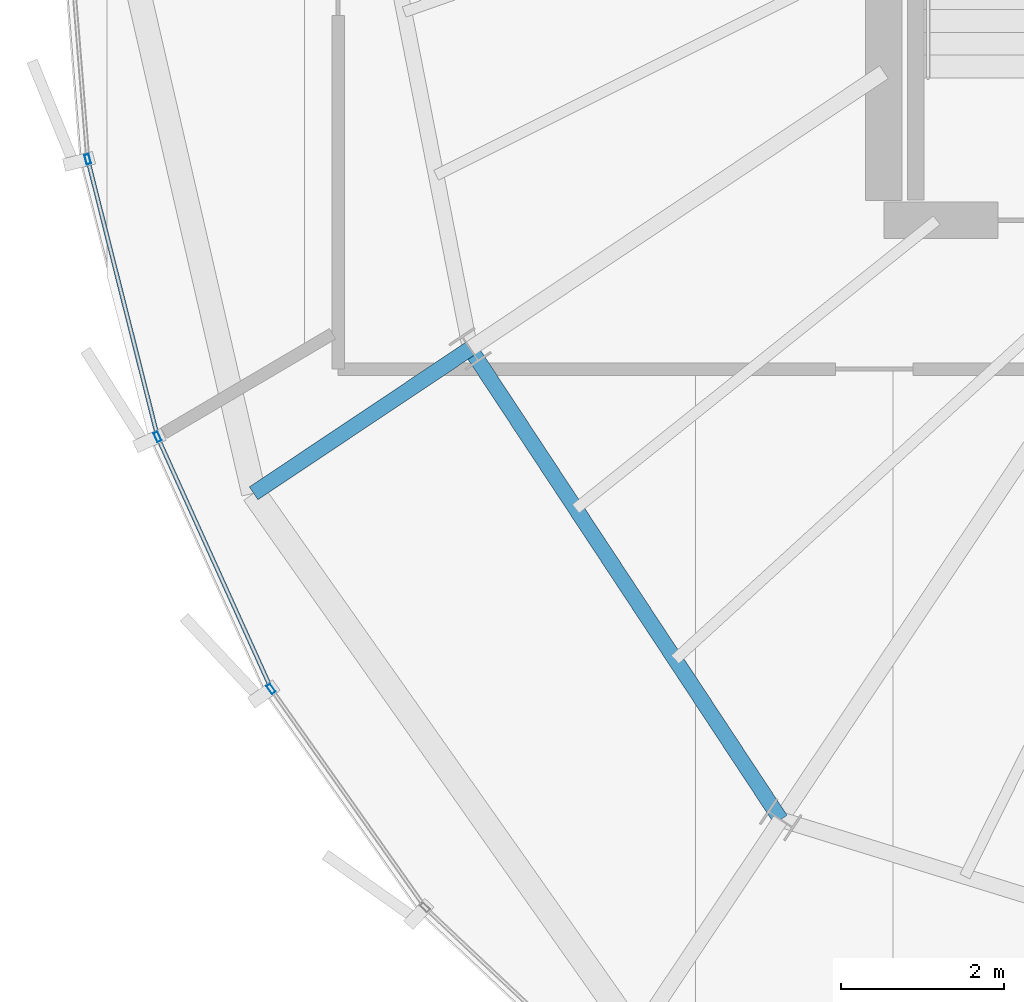
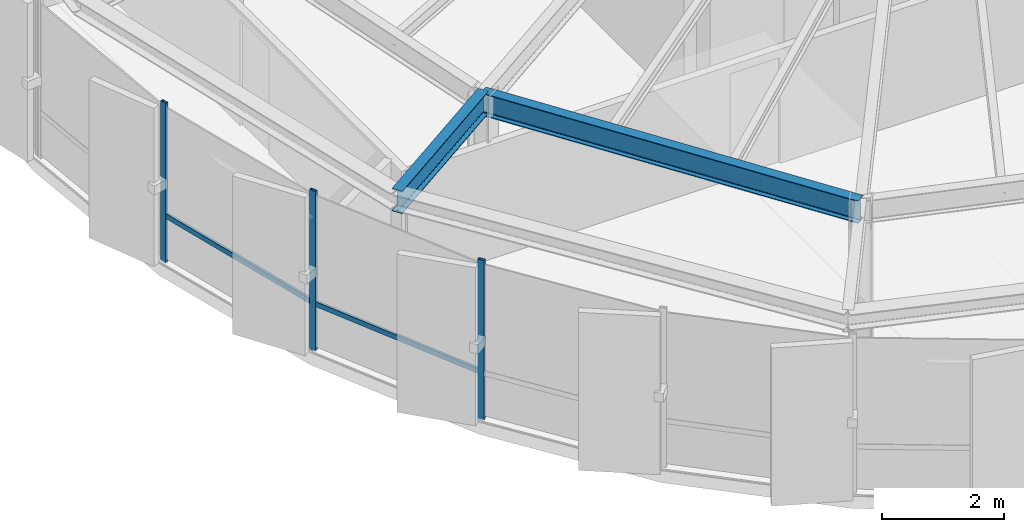
# One storey, part 4 of 30: 5 members, 2 beams, 1 element without a shape of its own.
"""IFC4 building model written with IfcOpenShell, lengths in metres."""

import ifcopenshell
import ifcopenshell.guid

model = None  # the IFC model being written
_history = None  # IfcOwnerHistory: only IFC2X3 demands one
_inside = {}  # id of a spatial element -> (the spatial element, [elements in it])
_under = {}  # id of a project, library or spatial element -> (it, [spatial elements below it])
_declared = {}  # id of a project -> (the project, [libraries it declares])
_typed = {}  # id of a type object -> (the type object, [elements of that type])
_made_of = {}  # id of a material, layer set ... -> (it, [elements and type objects made of it])


def new_model(schema):
    """Start an empty IFC model of exactly this schema.

    Asked for "IFC4X3", IfcOpenShell would pick the latest addendum, in which some entities
    have other attributes; the version numbers below select the first issue.
    IFC2X3 requires an IfcOwnerHistory on every rooted entity: one is made here for all.
    """
    global model, _history
    if schema == "IFC4X3":
        model = ifcopenshell.file(schema_version=(4, 3, 0, 0))
    else:
        model = ifcopenshell.file(schema=schema)
    _inside.clear()
    _under.clear()
    _declared.clear()
    _typed.clear()
    _made_of.clear()
    _history = None
    if model.schema == "IFC2X3":
        org = make("IfcOrganization", Name="unknown")
        user = make(
            "IfcPersonAndOrganization",
            ThePerson=make("IfcPerson", FamilyName="unknown"),
            TheOrganization=org,
        )
        app = make(
            "IfcApplication",
            ApplicationDeveloper=org,
            Version="unknown",
            ApplicationFullName="unknown",
            ApplicationIdentifier="unknown",
        )
        _history = make(
            "IfcOwnerHistory",
            OwningUser=user,
            OwningApplication=app,
            ChangeAction="ADDED",
            CreationDate=0,
        )
    return model


def make(cls, **values):
    """One entity of the class cls with the attributes given. An attribute that is None is left unset."""
    return model.create_entity(
        cls, **{name: value for name, value in values.items() if value is not None}
    )


def rooted(cls, **values):
    """An entity with a GlobalId (a new one), such as an element, a storey or a relation."""
    return make(cls, GlobalId=ifcopenshell.guid.new(), OwnerHistory=_history, **values)


def si_unit(unit_type, name, prefix=None):
    """IfcSIUnit, for example si_unit("LENGTHUNIT", "METRE", prefix="MILLI")."""
    return make("IfcSIUnit", UnitType=unit_type, Prefix=prefix, Name=name)


def assignment(units):
    """IfcUnitAssignment: the units of a project."""
    return None if units is None else make("IfcUnitAssignment", Units=units)


def point(xyz):
    """IfcCartesianPoint."""
    return None if xyz is None else make("IfcCartesianPoint", Coordinates=xyz)


def direction(xyz):
    """IfcDirection."""
    return None if xyz is None else make("IfcDirection", DirectionRatios=xyz)


def frame(location, z_axis=None, x_axis=None):
    """IfcAxis2Placement3D, a coordinate frame: its origin and axes. An axis left out is left unset."""
    return make(
        "IfcAxis2Placement3D",
        Location=point(location),
        Axis=direction(z_axis),
        RefDirection=direction(x_axis),
    )


def frame_2d(location, x_axis=None):
    """IfcAxis2Placement2D, a coordinate frame in the plane: its origin and x axis."""
    return make(
        "IfcAxis2Placement2D", Location=point(location), RefDirection=direction(x_axis)
    )


def origin():
    """The frame at (0, 0, 0) with its axes left unset."""
    return frame((0.0, 0.0, 0.0))


def origin_2d():
    """The frame at (0, 0) in the plane with its x axis left unset."""
    return frame_2d((0.0, 0.0))


def place(relative_to, where):
    """IfcLocalPlacement: puts the frame where relative to a parent placement (None: the world)."""
    return make(
        "IfcLocalPlacement", PlacementRelTo=relative_to, RelativePlacement=where
    )


def context(
    kind, dimensions, precision=None, world=None, true_north=None, identifier=None
):
    """IfcGeometricRepresentationContext, for example the 3D "Model" context."""
    return make(
        "IfcGeometricRepresentationContext",
        ContextIdentifier=identifier,
        ContextType=kind,
        CoordinateSpaceDimension=dimensions,
        Precision=precision,
        WorldCoordinateSystem=world,
        TrueNorth=true_north,
    )


def subcontext(parent, identifier, kind, view, scale=None):
    """IfcGeometricRepresentationSubContext, for example "Body" below "Model"."""
    return make(
        "IfcGeometricRepresentationSubContext",
        ContextIdentifier=identifier,
        ContextType=kind,
        ParentContext=parent,
        TargetScale=scale,
        TargetView=view,
    )


def project(units=None, contexts=None):
    """IfcProject with its units and contexts."""
    return rooted(
        "IfcProject",
        Name="project",
        RepresentationContexts=contexts,
        UnitsInContext=assignment(units),
    )


def spatial(cls, under=None, at=None, **own):
    """A site, building, storey or space (cls), placed at a placement, below another one or the project."""
    s = rooted(cls, ObjectPlacement=at, **own)
    if under is not None:
        _under.setdefault(under.id(), (under, []))[1].append(s)
    return s


def profile(cls, at=None, kind="AREA", **sizes):
    """A parametric profile (cls). Its sizes go by their IFC names, for example OverallWidth=200.0."""
    return make(cls, ProfileType=kind, Position=at, **sizes)


def hollow_rectangle(**sizes):
    """IfcRectangleHollowProfileDef."""
    return profile("IfcRectangleHollowProfileDef", **sizes)


def i_section(**sizes):
    """IfcIShapeProfileDef."""
    return profile("IfcIShapeProfileDef", **sizes)


def extrude(swept, where, along, depth):
    """IfcExtrudedAreaSolid: the profile swept, set in the frame where, extruded along a direction by depth."""
    return make(
        "IfcExtrudedAreaSolid",
        SweptArea=swept,
        Position=where,
        ExtrudedDirection=direction(along),
        Depth=depth,
    )


def shape(context_of_items, identifier, shape_type, items):
    """IfcShapeRepresentation: the items that make up one representation, for example the "Body"."""
    return make(
        "IfcShapeRepresentation",
        ContextOfItems=context_of_items,
        RepresentationIdentifier=identifier,
        RepresentationType=shape_type,
        Items=items,
    )


def source(mapping_origin, context_of_items, identifier, shape_type, items):
    """IfcRepresentationMap: a shape defined once, which mapped items show again and again."""
    return make(
        "IfcRepresentationMap",
        MappingOrigin=mapping_origin,
        MappedRepresentation=shape(context_of_items, identifier, shape_type, items),
    )


def transform(
    local_origin,
    x_axis=None,
    y_axis=None,
    z_axis=None,
    scale=None,
    scale2=None,
    scale3=None,
    uniform=True,
):
    """IfcCartesianTransformationOperator3D, or its non-uniform kind. x_axis, y_axis, z_axis: its Axis1, 2, 3."""
    if uniform:
        return make(
            "IfcCartesianTransformationOperator3D",
            Axis1=direction(x_axis),
            Axis2=direction(y_axis),
            LocalOrigin=point(local_origin),
            Scale=scale,
            Axis3=direction(z_axis),
        )
    return make(
        "IfcCartesianTransformationOperator3DnonUniform",
        Axis1=direction(x_axis),
        Axis2=direction(y_axis),
        LocalOrigin=point(local_origin),
        Scale=scale,
        Axis3=direction(z_axis),
        Scale2=scale2,
        Scale3=scale3,
    )


def mapped(mapping_source, mapping_target):
    """IfcMappedItem: shows the shape of a source again, moved by a transform."""
    return make(
        "IfcMappedItem", MappingSource=mapping_source, MappingTarget=mapping_target
    )


def material(Name=None, Category=None):
    """IfcMaterial."""
    return make("IfcMaterial", Name=Name, Category=Category)


def layer(
    of_material, thickness, ventilated=None, Name=None, Category=None, Priority=None
):
    """IfcMaterialLayer: one layer of a wall or slab, of a material (None: an air gap)."""
    return make(
        "IfcMaterialLayer",
        Material=of_material,
        LayerThickness=thickness,
        IsVentilated=ventilated,
        Name=Name,
        Category=Category,
        Priority=Priority,
    )


def layer_set(layers, Name=None):
    """IfcMaterialLayerSet."""
    return make("IfcMaterialLayerSet", MaterialLayers=layers, LayerSetName=Name)


def material_profile(
    of_material, cross_section, Name=None, Category=None, Priority=None
):
    """IfcMaterialProfile: a cross section and its material."""
    return make(
        "IfcMaterialProfile",
        Name=Name,
        Material=of_material,
        Profile=cross_section,
        Priority=Priority,
        Category=Category,
    )


def profile_set(profiles, Name=None, composite=None):
    """IfcMaterialProfileSet."""
    return make(
        "IfcMaterialProfileSet",
        Name=Name,
        MaterialProfiles=profiles,
        CompositeProfile=composite,
    )


def made_of(thing, what):
    """Note that an element or type object is made of a material, layer set ...; save() writes the relation."""
    if what is not None:
        _made_of.setdefault(what.id(), (what, []))[1].append(thing)
    return thing


def type_object(cls, material=None, **own):
    """A type object (cls), such as IfcWallType, which elements share."""
    return made_of(rooted(cls, **own), material)


def element(
    cls,
    number,
    at=None,
    inside=None,
    cuts=None,
    type_object=None,
    material=None,
    context=None,
    identifier="Body",
    shape_type=None,
    held_by="IfcProductDefinitionShape",
    body=None,
    shapes=None,
    **own,
):
    """One element of the class cls, such as IfcWall. Its Tag is "e" and its number.

    at: its placement. inside: the storey or other place that contains it. cuts: it is an
    opening in that element (IfcRelVoidsElement). A single representation is given by context,
    identifier, shape_type and body (its items); several are given by shapes. held_by: the class
    of the entity that holds the representations. save() writes the other relations.
    """
    e = rooted(cls, Tag="e%d" % number, ObjectPlacement=at, **own)
    if body is not None:
        shapes = [shape(context, identifier, shape_type, body)]
    if shapes is not None:
        e.Representation = make(held_by, Representations=shapes)
    if inside is not None:
        _inside.setdefault(inside.id(), (inside, []))[1].append(e)
    if cuts is not None:
        rooted(
            "IfcRelVoidsElement", RelatingBuildingElement=cuts, RelatedOpeningElement=e
        )
    if type_object is not None:
        _typed.setdefault(type_object.id(), (type_object, []))[1].append(e)
    return made_of(e, material)


def aggregate(whole, parts):
    """IfcRelAggregates: a whole, such as a stair, and the parts it consists of."""
    return rooted("IfcRelAggregates", RelatingObject=whole, RelatedObjects=parts)


def save(model, path):
    """Write the relations noted so far, then the file.

    IfcRelAggregates (storeys below a building ...), IfcRelContainedInSpatialStructure (elements
    in a storey), IfcRelDefinesByType, IfcRelAssociatesMaterial and IfcRelDeclares: one each for
    every whole, place, type object, material and project.
    """
    for whole, parts in _under.values():
        aggregate(whole, parts)
    for where, things in _inside.values():
        rooted(
            "IfcRelContainedInSpatialStructure",
            RelatedElements=things,
            RelatingStructure=where,
        )
    for kind, things in _typed.values():
        rooted("IfcRelDefinesByType", RelatedObjects=things, RelatingType=kind)
    for what, things in _made_of.values():
        rooted("IfcRelAssociatesMaterial", RelatedObjects=things, RelatingMaterial=what)
    for by, libraries in _declared.values():
        rooted("IfcRelDeclares", RelatingContext=by, RelatedDefinitions=libraries)
    model.write(path)


model = new_model("IFC4")

# Units and contexts
model_context = context("Model", 3, precision=1e-05, world=origin(), true_north=direction((0.0, 1.0)))
body_context = subcontext(model_context, "Body", "Model", "MODEL_VIEW")
ifc_project = project(units=[si_unit("LENGTHUNIT", "METRE"), si_unit("AREAUNIT", "SQUARE_METRE"), si_unit("VOLUMEUNIT", "CUBIC_METRE"), si_unit("PLANEANGLEUNIT", "RADIAN"), si_unit("MASSUNIT", "GRAM", prefix="KILO"), si_unit("THERMODYNAMICTEMPERATUREUNIT", "KELVIN")], contexts=[model_context])

# Site, building, storey
site_placement = place(None, origin())
site = spatial("IfcSite", under=ifc_project, at=site_placement, CompositionType="ELEMENT")
building_placement = place(site_placement, origin())
building = spatial("IfcBuilding", under=site, at=building_placement, Name="Kethvar Cultural Tower", CompositionType="ELEMENT")
storey_placement = place(building_placement, frame((0.0, 0.0, 293.949951171875)))
storey = spatial("IfcBuildingStorey", under=building, at=storey_placement, Name="L78", CompositionType="ELEMENT", Elevation=293.949951171875)

# Beams
ifc_material_1 = material(Name="Steel S355J2", Category="steel")
ifc_material_profile_1 = material_profile(ifc_material_1, i_section(OverallWidth=0.18994140625, OverallDepth=0.449951171875, WebThickness=0.009521484375, FlangeThickness=0.0146484375, FilletRadius=0.02099609375, at=origin_2d()), Name="Steel S355J2 — IPE450")
ifc_profile_set_1 = profile_set([ifc_material_profile_1], Name="Steel S355J2 — IPE450")
beam_type = type_object("IfcBeamType", Name="BM-IPE450", PredefinedType="BEAM", material=ifc_profile_set_1)
shared_shape_1 = source(origin(), body_context, "Body", "SweptSolid", [
    extrude(i_section(OverallWidth=0.18994140625, OverallDepth=0.449951171875, WebThickness=0.009521484375, FlangeThickness=0.0146484375, FilletRadius=0.02099609375, at=origin_2d()), origin(), (0.0, 0.0, 1.0), 3.199951171875),
])
beam_1_placement = place(storey_placement, frame((32.912841796875, 18.52099609375, 2.983154296875), z_axis=(-0.831462943996, -0.555580212716, 0.0), x_axis=(0.555580212716, -0.831462943996, 0.0)))
element("IfcBeam", 1, at=beam_1_placement, inside=storey, type_object=beam_type, Name="L78 Perimeter Cantilever Beam RC-10", PredefinedType="BEAM", context=body_context, shape_type="MappedRepresentation", body=[
    mapped(shared_shape_1, transform((0.0, 0.0, 0.0), scale=1.0)),
])
shared_shape_2 = source(origin(), body_context, "Body", "SweptSolid", [
    extrude(i_section(OverallWidth=0.18994140625, OverallDepth=0.449951171875, WebThickness=0.009521484375, FlangeThickness=0.0146484375, FilletRadius=0.02099609375, at=origin_2d()), origin(), (0.0, 0.0, 1.0), 6.935791015625),
])
beam_2_placement = place(storey_placement, frame((32.912841796875, 18.52099609375, 2.983154296875), z_axis=(0.550534204139, -0.834812607759, 0.0), x_axis=(0.834812607759, 0.550534204139, 0.0)))
element("IfcBeam", 2, at=beam_2_placement, inside=storey, type_object=beam_type, Name="L78 Column Ring Tie Beam CR-10", PredefinedType="BEAM", context=body_context, shape_type="MappedRepresentation", body=[
    mapped(shared_shape_2, transform((0.0, 0.0, 0.0), scale=1.0)),
])

# Curtain wall, members
ifc_material_2 = material(Name="Aluminium 6063-T6", Category="aluminium")
ifc_layer = layer(ifc_material_2, 0.179931640625, Name="Aluminium 6063-T6", Category="aluminium")
ifc_layer_set = layer_set([ifc_layer], Name="Aluminium 6063-T6 (180 mm)")
curtain_wall_type = type_object("IfcCurtainWallType", Name="CW-SYS-05-Z56", PredefinedType="NOTDEFINED", material=ifc_layer_set)
curtain_wall_placement = place(storey_placement, origin())
curtain_wall = element("IfcCurtainWall", 3, at=curtain_wall_placement, inside=storey, type_object=curtain_wall_type, Name="L78 Curtain Wall Run 03", PredefinedType="NOTDEFINED")
ifc_material_profile_2 = material_profile(ifc_material_2, hollow_rectangle(XDim=0.054931640625, YDim=0.1201171875, WallThickness=0.00390625, at=origin_2d()), Name="Aluminium 6063-T6 — RHS120x55x4")
ifc_profile_set_2 = profile_set([ifc_material_profile_2], Name="Aluminium 6063-T6 — RHS120x55x4")
member_type_1 = type_object("IfcMemberType", Name="CW-SYS-05-Z56-MUL", PredefinedType="MULLION", material=ifc_profile_set_2)
shared_shape_3 = source(origin(), body_context, "Body", "SweptSolid", [
    extrude(hollow_rectangle(XDim=0.054931640625, YDim=0.1201171875, WallThickness=0.00390625, at=origin_2d()), origin(), (0.0, 0.0, 1.0), 3.2099609375),
])
member_1_placement = place(storey_placement, frame((28.210205078125, 20.849853515625, 0.0), z_axis=(0.0, 0.0, 1.0), x_axis=(0.969680381389, 0.24437667227, 0.0)))
member_1 = element("IfcMember", 4, at=member_1_placement, type_object=member_type_1, Name="CW-L78-R03 Mullion 2", PredefinedType="MULLION", context=body_context, shape_type="MappedRepresentation", body=[
    mapped(shared_shape_3, transform((0.0, 0.0, 0.0), scale=1.0)),
])
member_2_placement = place(storey_placement, frame((29.06884765625, 17.436279296875, 0.0), z_axis=(0.0, 0.0, 1.0), x_axis=(0.911424822228, 0.411466637077, 0.0)))
member_2 = element("IfcMember", 5, at=member_2_placement, type_object=member_type_1, Name="CW-L78-R03 Mullion 3", PredefinedType="MULLION", context=body_context, shape_type="MappedRepresentation", body=[
    mapped(shared_shape_3, transform((0.0, 0.0, 0.0), scale=1.0)),
])
member_3_placement = place(storey_placement, frame((30.46533203125, 14.338623046875, 0.0), z_axis=(0.0, 0.0, 1.0), x_axis=(0.817466711412, 0.575975846485, 0.0)))
member_3 = element("IfcMember", 6, at=member_3_placement, type_object=member_type_1, Name="CW-L78-R03 Mullion 4", PredefinedType="MULLION", context=body_context, shape_type="MappedRepresentation", body=[
    mapped(shared_shape_3, transform((0.0, 0.0, 0.0), scale=1.0)),
])
ifc_material_profile_3 = material_profile(ifc_material_2, hollow_rectangle(XDim=0.050048828125, YDim=0.10009765625, WallThickness=0.00390625, at=origin_2d()), Name="Aluminium 6063-T6 — RHS100x50x4")
ifc_profile_set_3 = profile_set([ifc_material_profile_3], Name="Aluminium 6063-T6 — RHS100x50x4")
member_type_2 = type_object("IfcMemberType", Name="CW-SYS-05-Z56-TRN", PredefinedType="USERDEFINED", material=ifc_profile_set_3)
shared_shape_4 = source(origin(), body_context, "Body", "SweptSolid", [
    extrude(hollow_rectangle(XDim=0.050048828125, YDim=0.10009765625, WallThickness=0.00390625, at=origin_2d()), origin(), (0.0, 0.0, 1.0), 3.337646484375),
])
member_4_placement = place(storey_placement, frame((29.085205078125, 17.400146484375, 0.949951171875), z_axis=(0.411459325256, -0.911428123145, 0.0), x_axis=(0.911428123145, 0.411459325256, 0.0)))
member_4 = element("IfcMember", 7, at=member_4_placement, type_object=member_type_2, Name="CW-L78-R03 Transom 3", ObjectType="TRANSOM", PredefinedType="USERDEFINED", context=body_context, shape_type="MappedRepresentation", body=[
    mapped(shared_shape_4, transform((0.0, 0.0, 0.0), scale=1.0)),
])
shared_shape_5 = source(origin(), body_context, "Body", "SweptSolid", [
    extrude(hollow_rectangle(XDim=0.050048828125, YDim=0.10009765625, WallThickness=0.00390625, at=origin_2d()), origin(), (0.0, 0.0, 1.0), 3.458251953125),
])
member_5_placement = place(storey_placement, frame((28.219970703125, 20.811279296875, 0.949951171875), z_axis=(0.244412262539, -0.969671411314, 0.0), x_axis=(0.969671411314, 0.244412262539, 0.0)))
member_5 = element("IfcMember", 8, at=member_5_placement, type_object=member_type_2, Name="CW-L78-R03 Transom 2", ObjectType="TRANSOM", PredefinedType="USERDEFINED", context=body_context, shape_type="MappedRepresentation", body=[
    mapped(shared_shape_5, transform((0.0, 0.0, 0.0), scale=1.0)),
])
aggregate(curtain_wall, [member_1, member_2, member_3, member_5, member_4])

save(model, "model.ifc")
